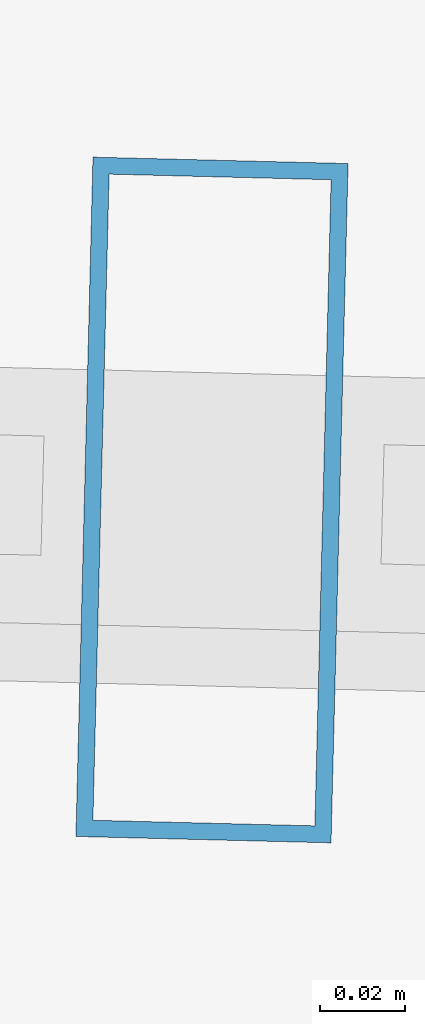
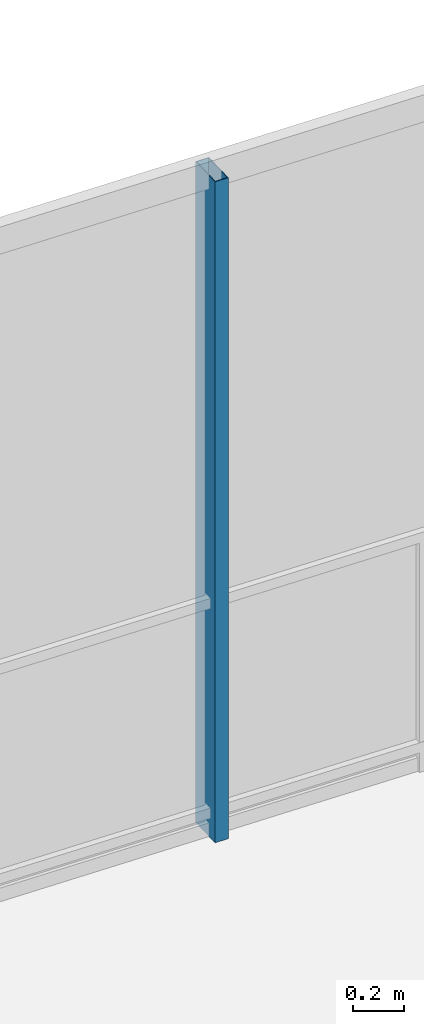
# One storey, part 20 of 30: 1 member, 1 element without a shape of its own.
"""IFC4 building model written with IfcOpenShell, lengths in metres."""

import ifcopenshell
import ifcopenshell.guid

model = None  # the IFC model being written
_history = None  # IfcOwnerHistory: only IFC2X3 demands one
_inside = {}  # id of a spatial element -> (the spatial element, [elements in it])
_under = {}  # id of a project, library or spatial element -> (it, [spatial elements below it])
_declared = {}  # id of a project -> (the project, [libraries it declares])
_typed = {}  # id of a type object -> (the type object, [elements of that type])
_made_of = {}  # id of a material, layer set ... -> (it, [elements and type objects made of it])


def new_model(schema):
    """Start an empty IFC model of exactly this schema.

    Asked for "IFC4X3", IfcOpenShell would pick the latest addendum, in which some entities
    have other attributes; the version numbers below select the first issue.
    IFC2X3 requires an IfcOwnerHistory on every rooted entity: one is made here for all.
    """
    global model, _history
    if schema == "IFC4X3":
        model = ifcopenshell.file(schema_version=(4, 3, 0, 0))
    else:
        model = ifcopenshell.file(schema=schema)
    _inside.clear()
    _under.clear()
    _declared.clear()
    _typed.clear()
    _made_of.clear()
    _history = None
    if model.schema == "IFC2X3":
        org = make("IfcOrganization", Name="unknown")
        user = make(
            "IfcPersonAndOrganization",
            ThePerson=make("IfcPerson", FamilyName="unknown"),
            TheOrganization=org,
        )
        app = make(
            "IfcApplication",
            ApplicationDeveloper=org,
            Version="unknown",
            ApplicationFullName="unknown",
            ApplicationIdentifier="unknown",
        )
        _history = make(
            "IfcOwnerHistory",
            OwningUser=user,
            OwningApplication=app,
            ChangeAction="ADDED",
            CreationDate=0,
        )
    return model


def make(cls, **values):
    """One entity of the class cls with the attributes given. An attribute that is None is left unset."""
    return model.create_entity(
        cls, **{name: value for name, value in values.items() if value is not None}
    )


def rooted(cls, **values):
    """An entity with a GlobalId (a new one), such as an element, a storey or a relation."""
    return make(cls, GlobalId=ifcopenshell.guid.new(), OwnerHistory=_history, **values)


def si_unit(unit_type, name, prefix=None):
    """IfcSIUnit, for example si_unit("LENGTHUNIT", "METRE", prefix="MILLI")."""
    return make("IfcSIUnit", UnitType=unit_type, Prefix=prefix, Name=name)


def assignment(units):
    """IfcUnitAssignment: the units of a project."""
    return None if units is None else make("IfcUnitAssignment", Units=units)


def point(xyz):
    """IfcCartesianPoint."""
    return None if xyz is None else make("IfcCartesianPoint", Coordinates=xyz)


def direction(xyz):
    """IfcDirection."""
    return None if xyz is None else make("IfcDirection", DirectionRatios=xyz)


def frame(location, z_axis=None, x_axis=None):
    """IfcAxis2Placement3D, a coordinate frame: its origin and axes. An axis left out is left unset."""
    return make(
        "IfcAxis2Placement3D",
        Location=point(location),
        Axis=direction(z_axis),
        RefDirection=direction(x_axis),
    )


def frame_2d(location, x_axis=None):
    """IfcAxis2Placement2D, a coordinate frame in the plane: its origin and x axis."""
    return make(
        "IfcAxis2Placement2D", Location=point(location), RefDirection=direction(x_axis)
    )


def origin():
    """The frame at (0, 0, 0) with its axes left unset."""
    return frame((0.0, 0.0, 0.0))


def origin_2d():
    """The frame at (0, 0) in the plane with its x axis left unset."""
    return frame_2d((0.0, 0.0))


def place(relative_to, where):
    """IfcLocalPlacement: puts the frame where relative to a parent placement (None: the world)."""
    return make(
        "IfcLocalPlacement", PlacementRelTo=relative_to, RelativePlacement=where
    )


def context(
    kind, dimensions, precision=None, world=None, true_north=None, identifier=None
):
    """IfcGeometricRepresentationContext, for example the 3D "Model" context."""
    return make(
        "IfcGeometricRepresentationContext",
        ContextIdentifier=identifier,
        ContextType=kind,
        CoordinateSpaceDimension=dimensions,
        Precision=precision,
        WorldCoordinateSystem=world,
        TrueNorth=true_north,
    )


def subcontext(parent, identifier, kind, view, scale=None):
    """IfcGeometricRepresentationSubContext, for example "Body" below "Model"."""
    return make(
        "IfcGeometricRepresentationSubContext",
        ContextIdentifier=identifier,
        ContextType=kind,
        ParentContext=parent,
        TargetScale=scale,
        TargetView=view,
    )


def project(units=None, contexts=None):
    """IfcProject with its units and contexts."""
    return rooted(
        "IfcProject",
        Name="project",
        RepresentationContexts=contexts,
        UnitsInContext=assignment(units),
    )


def spatial(cls, under=None, at=None, **own):
    """A site, building, storey or space (cls), placed at a placement, below another one or the project."""
    s = rooted(cls, ObjectPlacement=at, **own)
    if under is not None:
        _under.setdefault(under.id(), (under, []))[1].append(s)
    return s


def profile(cls, at=None, kind="AREA", **sizes):
    """A parametric profile (cls). Its sizes go by their IFC names, for example OverallWidth=200.0."""
    return make(cls, ProfileType=kind, Position=at, **sizes)


def hollow_rectangle(**sizes):
    """IfcRectangleHollowProfileDef."""
    return profile("IfcRectangleHollowProfileDef", **sizes)


def extrude(swept, where, along, depth):
    """IfcExtrudedAreaSolid: the profile swept, set in the frame where, extruded along a direction by depth."""
    return make(
        "IfcExtrudedAreaSolid",
        SweptArea=swept,
        Position=where,
        ExtrudedDirection=direction(along),
        Depth=depth,
    )


def shape(context_of_items, identifier, shape_type, items):
    """IfcShapeRepresentation: the items that make up one representation, for example the "Body"."""
    return make(
        "IfcShapeRepresentation",
        ContextOfItems=context_of_items,
        RepresentationIdentifier=identifier,
        RepresentationType=shape_type,
        Items=items,
    )


def material(Name=None, Category=None):
    """IfcMaterial."""
    return make("IfcMaterial", Name=Name, Category=Category)


def layer(
    of_material, thickness, ventilated=None, Name=None, Category=None, Priority=None
):
    """IfcMaterialLayer: one layer of a wall or slab, of a material (None: an air gap)."""
    return make(
        "IfcMaterialLayer",
        Material=of_material,
        LayerThickness=thickness,
        IsVentilated=ventilated,
        Name=Name,
        Category=Category,
        Priority=Priority,
    )


def layer_set(layers, Name=None):
    """IfcMaterialLayerSet."""
    return make("IfcMaterialLayerSet", MaterialLayers=layers, LayerSetName=Name)


def material_profile(
    of_material, cross_section, Name=None, Category=None, Priority=None
):
    """IfcMaterialProfile: a cross section and its material."""
    return make(
        "IfcMaterialProfile",
        Name=Name,
        Material=of_material,
        Profile=cross_section,
        Priority=Priority,
        Category=Category,
    )


def profile_set(profiles, Name=None, composite=None):
    """IfcMaterialProfileSet."""
    return make(
        "IfcMaterialProfileSet",
        Name=Name,
        MaterialProfiles=profiles,
        CompositeProfile=composite,
    )


def made_of(thing, what):
    """Note that an element or type object is made of a material, layer set ...; save() writes the relation."""
    if what is not None:
        _made_of.setdefault(what.id(), (what, []))[1].append(thing)
    return thing


def type_object(cls, material=None, **own):
    """A type object (cls), such as IfcWallType, which elements share."""
    return made_of(rooted(cls, **own), material)


def element(
    cls,
    number,
    at=None,
    inside=None,
    cuts=None,
    type_object=None,
    material=None,
    context=None,
    identifier="Body",
    shape_type=None,
    held_by="IfcProductDefinitionShape",
    body=None,
    shapes=None,
    **own,
):
    """One element of the class cls, such as IfcWall. Its Tag is "e" and its number.

    at: its placement. inside: the storey or other place that contains it. cuts: it is an
    opening in that element (IfcRelVoidsElement). A single representation is given by context,
    identifier, shape_type and body (its items); several are given by shapes. held_by: the class
    of the entity that holds the representations. save() writes the other relations.
    """
    e = rooted(cls, Tag="e%d" % number, ObjectPlacement=at, **own)
    if body is not None:
        shapes = [shape(context, identifier, shape_type, body)]
    if shapes is not None:
        e.Representation = make(held_by, Representations=shapes)
    if inside is not None:
        _inside.setdefault(inside.id(), (inside, []))[1].append(e)
    if cuts is not None:
        rooted(
            "IfcRelVoidsElement", RelatingBuildingElement=cuts, RelatedOpeningElement=e
        )
    if type_object is not None:
        _typed.setdefault(type_object.id(), (type_object, []))[1].append(e)
    return made_of(e, material)


def aggregate(whole, parts):
    """IfcRelAggregates: a whole, such as a stair, and the parts it consists of."""
    return rooted("IfcRelAggregates", RelatingObject=whole, RelatedObjects=parts)


def save(model, path):
    """Write the relations noted so far, then the file.

    IfcRelAggregates (storeys below a building ...), IfcRelContainedInSpatialStructure (elements
    in a storey), IfcRelDefinesByType, IfcRelAssociatesMaterial and IfcRelDeclares: one each for
    every whole, place, type object, material and project.
    """
    for whole, parts in _under.values():
        aggregate(whole, parts)
    for where, things in _inside.values():
        rooted(
            "IfcRelContainedInSpatialStructure",
            RelatedElements=things,
            RelatingStructure=where,
        )
    for kind, things in _typed.values():
        rooted("IfcRelDefinesByType", RelatedObjects=things, RelatingType=kind)
    for what, things in _made_of.values():
        rooted("IfcRelAssociatesMaterial", RelatedObjects=things, RelatingMaterial=what)
    for by, libraries in _declared.values():
        rooted("IfcRelDeclares", RelatingContext=by, RelatedDefinitions=libraries)
    model.write(path)


model = new_model("IFC4")

# Units and contexts
model_context = context("Model", 3, precision=1e-05, world=origin(), true_north=direction((0.0, 1.0)))
body_context = subcontext(model_context, "Body", "Model", "MODEL_VIEW")
ifc_project = project(units=[si_unit("LENGTHUNIT", "METRE"), si_unit("AREAUNIT", "SQUARE_METRE"), si_unit("VOLUMEUNIT", "CUBIC_METRE"), si_unit("PLANEANGLEUNIT", "RADIAN"), si_unit("MASSUNIT", "GRAM", prefix="KILO")], contexts=[model_context])

# Site, building, storey
site_placement = place(None, origin())
site = spatial("IfcSite", under=ifc_project, at=site_placement, CompositionType="ELEMENT")
building_placement = place(site_placement, origin())
building = spatial("IfcBuilding", under=site, at=building_placement, Name="Qarnah Convention Tower", CompositionType="ELEMENT")
storey_placement = place(building_placement, frame((0.0, 0.0, 61.5)))
storey = spatial("IfcBuildingStorey", under=building, at=storey_placement, Name="L15", CompositionType="ELEMENT", Elevation=61.5)

# Curtain wall, member
ifc_material_1 = material(Name="Tempered Low-E dark glass", Category="glass")
ifc_layer = layer(ifc_material_1, 0.16796875)
ifc_layer_set = layer_set([ifc_layer], Name="Tempered Low-E dark glass")
curtain_wall_type = type_object("IfcCurtainWallType", Name="CWS-01", PredefinedType="NOTDEFINED", material=ifc_layer_set)
curtain_wall_placement = place(storey_placement, origin())
curtain_wall = element("IfcCurtainWall", 1, at=curtain_wall_placement, inside=storey, type_object=curtain_wall_type, Name="L15 unitised curtain wall CW-L15-F1", PredefinedType="NOTDEFINED")
ifc_material_2 = material(Name="Black anodised aluminium", Category="aluminium")
ifc_material_profile = material_profile(ifc_material_2, hollow_rectangle(XDim=0.06005859375, YDim=0.159912109375, WallThickness=0.00390625, at=origin_2d()), Name="MUL-60X160")
ifc_profile_set = profile_set([ifc_material_profile], Name="Black anodised aluminium")
member_type = type_object("IfcMemberType", Name="MUL-T1", PredefinedType="MULLION", material=ifc_profile_set)
member_placement = place(storey_placement, frame((42.19189453125, 44.523681640625, 0.0), z_axis=(0.0, 0.0, 1.0), x_axis=(0.999684752198, -0.025107692487, 0.0)))
member = element("IfcMember", 2, at=member_placement, type_object=member_type, Name="CW-L15-F1 mullion 4", PredefinedType="MULLION", context=body_context, shape_type="SweptSolid", body=[
    extrude(hollow_rectangle(XDim=0.06005859375, YDim=0.159912109375, WallThickness=0.00390625, at=origin_2d()), origin(), (0.0, 0.0, 1.0), 3.169921875),
])
aggregate(curtain_wall, [member])

save(model, "model.ifc")
